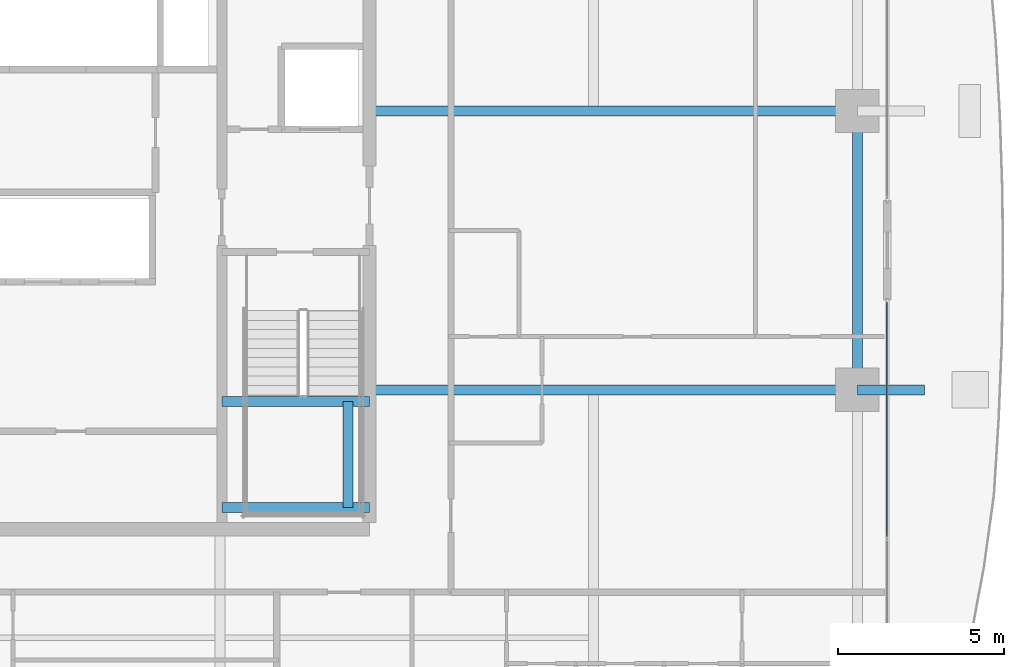
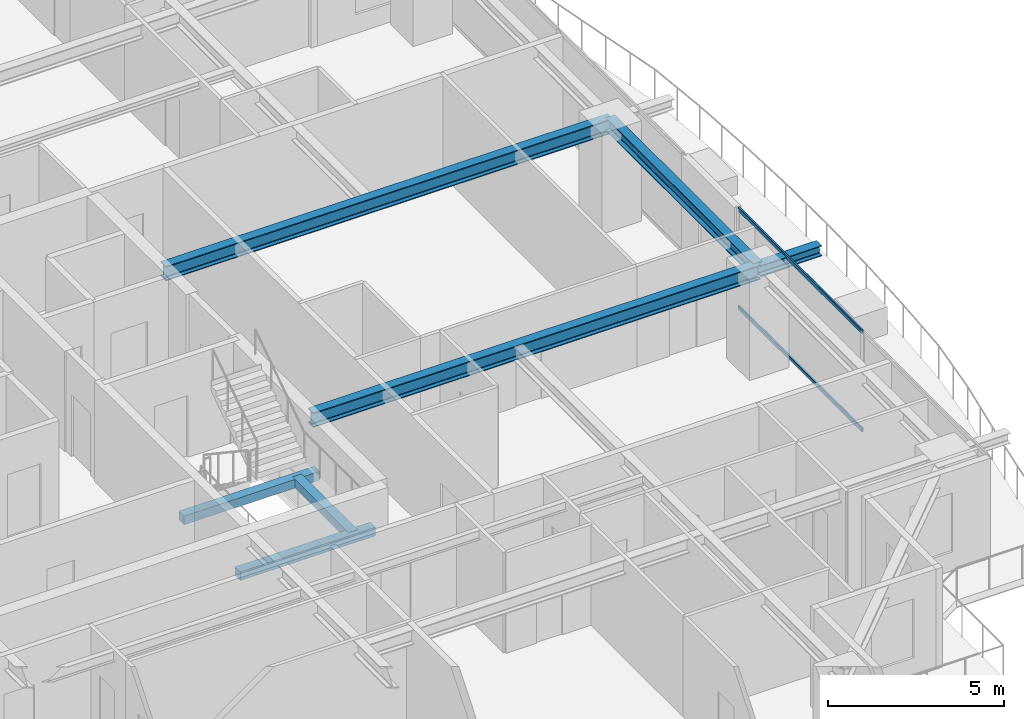
# One storey, part 12 of 33: 7 beams, 2 members, 1 element without a shape of its own.
"""IFC4 building model written with IfcOpenShell, lengths in metres."""

from ifc_helpers import new_model, si_unit, direction, frame, origin, origin_2d, place, context, subcontext, project, spatial, rectangle, hollow_rectangle, i_section, extrude, source, transform, mapped, material, layer, layer_set, material_profile, profile_set, type_object, element, aggregate, save


model = new_model("IFC4")

# Units and contexts
model_context = context("Model", 3, precision=1e-05, world=origin(), true_north=direction((0.0, 1.0)))
body_context = subcontext(model_context, "Body", "Model", "MODEL_VIEW")
ifc_project = project(units=[si_unit("LENGTHUNIT", "METRE"), si_unit("AREAUNIT", "SQUARE_METRE"), si_unit("VOLUMEUNIT", "CUBIC_METRE"), si_unit("PLANEANGLEUNIT", "RADIAN"), si_unit("MASSUNIT", "GRAM", prefix="KILO")], contexts=[model_context])

# Site, building, storey
site_placement = place(None, origin())
site = spatial("IfcSite", under=ifc_project, at=site_placement, CompositionType="ELEMENT")
building_placement = place(site_placement, origin())
building = spatial("IfcBuilding", under=site, at=building_placement, Name="Serunith Strait Residences", CompositionType="ELEMENT")
storey_placement = place(building_placement, frame((0.0, 0.0, 165.14990234375)))
storey = spatial("IfcBuildingStorey", under=building, at=storey_placement, Name="L41", CompositionType="ELEMENT", Elevation=165.14990234375)

# Beams
ifc_material_1 = material(Name="Steel S355J2", Category="steel")
ifc_material_profile_1 = material_profile(ifc_material_1, i_section(OverallWidth=0.300048828125, OverallDepth=0.449951171875, WebThickness=0.013916015625, FlangeThickness=0.02587890625, FilletRadius=0.027099609375, at=origin_2d()), Name="HEB 450")
ifc_profile_set_1 = profile_set([ifc_material_profile_1], Name="Steel S355J2")
beam_type_1 = type_object("IfcBeamType", Name="BM-HEB450", PredefinedType="BEAM", material=ifc_profile_set_1)
shared_shape_1 = source(origin(), body_context, "Body", "SweptSolid", [
    extrude(i_section(OverallWidth=0.300048828125, OverallDepth=0.449951171875, WebThickness=0.013916015625, FlangeThickness=0.02587890625, FilletRadius=0.027099609375, at=origin_2d()), origin(), (0.0, 0.0, 1.0), 8.39990234375),
])
beam_1_placement = place(storey_placement, frame((56.10009765625, 21.0, 3.26220703125), z_axis=(0.0, 1.0, 0.0), x_axis=(-1.0, 0.0, 0.0)))
element("IfcBeam", 1, at=beam_1_placement, inside=storey, type_object=beam_type_1, Name="L41 Perimeter Ring Beam 06", PredefinedType="BEAM", context=body_context, shape_type="MappedRepresentation", body=[
    mapped(shared_shape_1, transform((0.0, 0.0, 0.0), scale=1.0)),
])
ifc_material_profile_2 = material_profile(ifc_material_1, i_section(OverallWidth=0.300048828125, OverallDepth=0.5, WebThickness=0.014404296875, FlangeThickness=0.028076171875, FilletRadius=0.027099609375, at=origin_2d()), Name="HEB 500")
ifc_profile_set_2 = profile_set([ifc_material_profile_2], Name="Steel S355J2")
beam_type_2 = type_object("IfcBeamType", Name="BM-HEB500", PredefinedType="BEAM", material=ifc_profile_set_2)
shared_shape_2 = source(origin(), body_context, "Body", "SweptSolid", [
    extrude(i_section(OverallWidth=0.300048828125, OverallDepth=0.5, WebThickness=0.014404296875, FlangeThickness=0.028076171875, FilletRadius=0.027099609375, at=origin_2d()), origin(), (0.0, 0.0, 1.0), 14.7001953125),
])
for number, where, z_axis, x_axis, name in (
    (2, (41.39990234375, 21.0, 3.237060546875), (1.0, 0.0, 0.0), (0.0, 1.0, 0.0), "L41 Primary Floor Girder TC-E2"),
    (3, (41.39990234375, 29.39990234375, 3.237060546875), (1.0, 0.0, 0.0), (0.0, 1.0, 0.0), "L41 Primary Floor Girder TC-E3"),
):
    element("IfcBeam", number, at=place(storey_placement, frame(where, z_axis=z_axis, x_axis=x_axis)), inside=storey, type_object=beam_type_2, Name=name, PredefinedType="BEAM", context=body_context, shape_type="MappedRepresentation", body=[
        mapped(shared_shape_2, transform((0.0, 0.0, 0.0), scale=1.0)),
    ])
ifc_material_profile_3 = material_profile(ifc_material_1, i_section(OverallWidth=0.300048828125, OverallDepth=0.360107421875, WebThickness=0.012451171875, FlangeThickness=0.0224609375, FilletRadius=0.027099609375, at=origin_2d()), Name="HEB 360")
ifc_profile_set_3 = profile_set([ifc_material_profile_3], Name="Steel S355J2")
beam_type_3 = type_object("IfcBeamType", Name="BM-HEB360", PredefinedType="BEAM", material=ifc_profile_set_3)
shared_shape_3 = source(origin(), body_context, "Body", "SweptSolid", [
    extrude(i_section(OverallWidth=0.300048828125, OverallDepth=0.360107421875, WebThickness=0.012451171875, FlangeThickness=0.0224609375, FilletRadius=0.027099609375, at=origin_2d()), origin(), (0.0, 0.0, 1.0), 2.02978515625),
])
beam_2_placement = place(storey_placement, frame((56.10009765625, 21.0, 3.277099609375), z_axis=(1.0, 0.0, 0.0), x_axis=(0.0, 1.0, 0.0)))
element("IfcBeam", 4, at=beam_2_placement, inside=storey, type_object=beam_type_3, Name="L42 Cantilevered Balcony Rib TC-E2", PredefinedType="BEAM", context=body_context, shape_type="MappedRepresentation", body=[
    mapped(shared_shape_3, transform((0.0, 0.0, 0.0), scale=1.0)),
])
ifc_material_2 = material(Name="Concrete C60/75", Category="concrete")
ifc_material_profile_4 = material_profile(ifc_material_2, rectangle(XDim=0.300048828125, YDim=0.300048828125, at=origin_2d()), Name="RC 300x300")
ifc_profile_set_4 = profile_set([ifc_material_profile_4], Name="Concrete C60/75")
beam_type_4 = type_object("IfcBeamType", Name="BM-LAND-300x300", PredefinedType="BEAM", material=ifc_profile_set_4)
shared_shape_4 = source(origin(), body_context, "Body", "SweptSolid", [
    extrude(rectangle(XDim=0.300048828125, YDim=0.300048828125, at=origin_2d()), origin(), (0.0, 0.0, 1.0), 3.199951171875),
])
beam_3_placement = place(storey_placement, frame((40.75, 17.449951171875, 1.525146484375), z_axis=(0.0, 1.0, 0.0), x_axis=(-1.0, 0.0, 0.0)))
element("IfcBeam", 5, at=beam_3_placement, inside=storey, type_object=beam_type_4, Name="L41 ST-2 Landing Transverse Tie Beam", PredefinedType="BEAM", context=body_context, shape_type="MappedRepresentation", body=[
    mapped(shared_shape_4, transform((0.0, 0.0, 0.0), scale=1.0)),
])
shared_shape_5 = source(origin(), body_context, "Body", "SweptSolid", [
    extrude(rectangle(XDim=0.300048828125, YDim=0.300048828125, at=origin_2d()), origin(), (0.0, 0.0, 1.0), 4.449951171875),
])
for number, where, z_axis, x_axis, name in (
    (6, (36.949951171875, 17.449951171875, 1.525146484375), (1.0, 0.0, 0.0), (0.0, 1.0, 0.0), "L41 ST-2 Landing Support Beam 1"),
    (7, (36.949951171875, 20.64990234375, 1.525146484375), (1.0, 0.0, 0.0), (0.0, 1.0, 0.0), "L41 ST-2 Landing Support Beam 2"),
):
    element("IfcBeam", number, at=place(storey_placement, frame(where, z_axis=z_axis, x_axis=x_axis)), inside=storey, type_object=beam_type_4, Name=name, PredefinedType="BEAM", context=body_context, shape_type="MappedRepresentation", body=[
        mapped(shared_shape_5, transform((0.0, 0.0, 0.0), scale=1.0)),
    ])

# Curtain wall, members
ifc_material_3 = material(Name="Pale-Champagne Anodised Aluminium", Category="aluminium")
ifc_layer = layer(ifc_material_3, 0.199951171875, Name="Pale-Champagne Anodised Aluminium")
ifc_layer_set = layer_set([ifc_layer], Name="Pale-Champagne Anodised Aluminium")
curtain_wall_type = type_object("IfcCurtainWallType", Name="CW-SYS2", PredefinedType="NOTDEFINED", material=ifc_layer_set)
curtain_wall_placement = place(storey_placement, origin())
curtain_wall = element("IfcCurtainWall", 8, at=curtain_wall_placement, inside=storey, type_object=curtain_wall_type, Name="L41 E Unitised Fritted Curtain Wall", PredefinedType="NOTDEFINED")
ifc_material_profile_5 = material_profile(ifc_material_3, hollow_rectangle(XDim=0.06005859375, YDim=0.139892578125, WallThickness=0.00341796875, InnerFilletRadius=0.00537109375, OuterFilletRadius=0.0087890625, at=origin_2d()), Name="ALU 140x60x3.5")
ifc_profile_set_5 = profile_set([ifc_material_profile_5], Name="Pale-Champagne Anodised Aluminium")
member_type = type_object("IfcMemberType", Name="CW-SYS2-TRAN", PredefinedType="USERDEFINED", material=ifc_profile_set_5)
shared_shape_6 = source(origin(), body_context, "Body", "SweptSolid", [
    extrude(hollow_rectangle(XDim=0.06005859375, YDim=0.139892578125, WallThickness=0.00341796875, InnerFilletRadius=0.00537109375, OuterFilletRadius=0.0087890625, at=origin_2d()), origin(), (0.0, 0.0, 1.0), 7.044921875),
])
member_1_placement = place(storey_placement, frame((57.0, 16.5849609375, 0.030029296875), z_axis=(0.0, 1.0, 0.0), x_axis=(-1.0, 0.0, 0.0)))
member_1 = element("IfcMember", 9, at=member_1_placement, type_object=member_type, Name="CW-2 transom 2.1", ObjectType="TRANSOM", PredefinedType="USERDEFINED", context=body_context, shape_type="MappedRepresentation", body=[
    mapped(shared_shape_6, transform((0.0, 0.0, 0.0), scale=1.0)),
])
member_2_placement = place(storey_placement, frame((57.0, 16.5849609375, 3.445068359375), z_axis=(0.0, 1.0, 0.0), x_axis=(-1.0, 0.0, 0.0)))
member_2 = element("IfcMember", 10, at=member_2_placement, type_object=member_type, Name="CW-2 transom 2.2", ObjectType="TRANSOM", PredefinedType="USERDEFINED", context=body_context, shape_type="MappedRepresentation", body=[
    mapped(shared_shape_6, transform((0.0, 0.0, 0.0), scale=1.0)),
])
aggregate(curtain_wall, [member_1, member_2])

save(model, "model.ifc")
